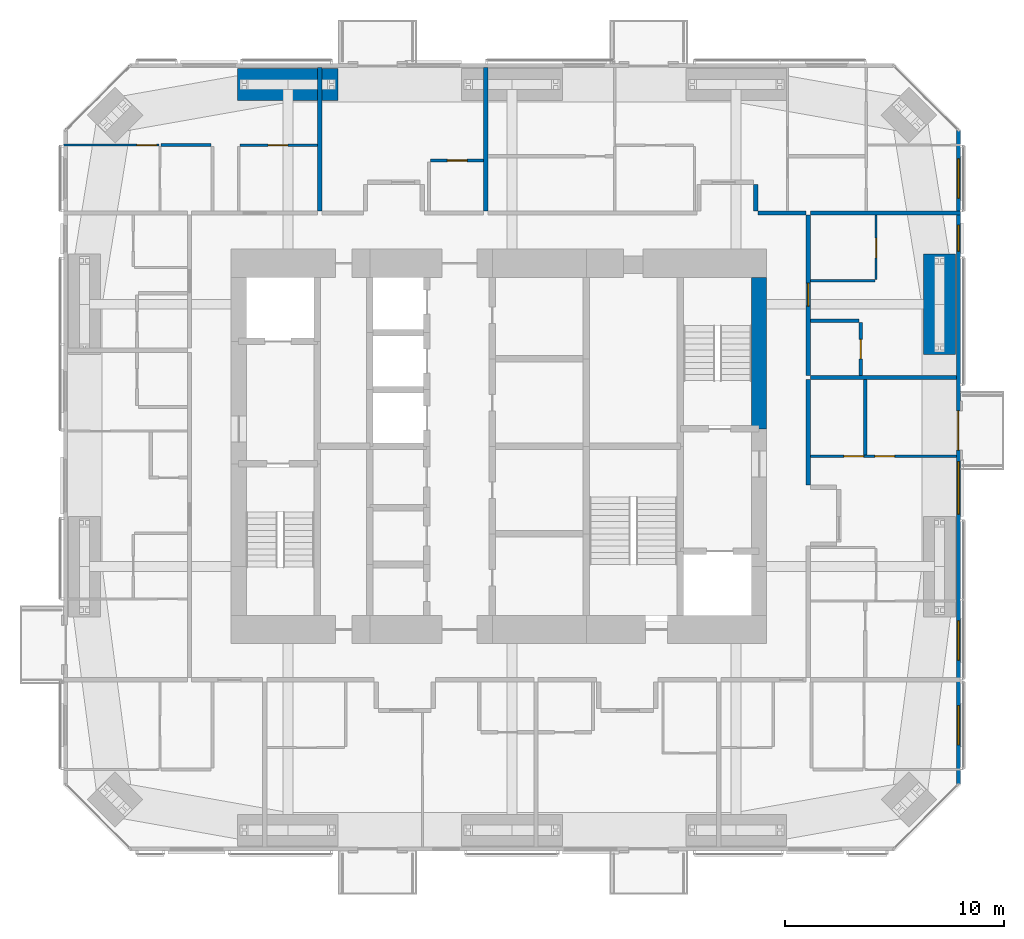
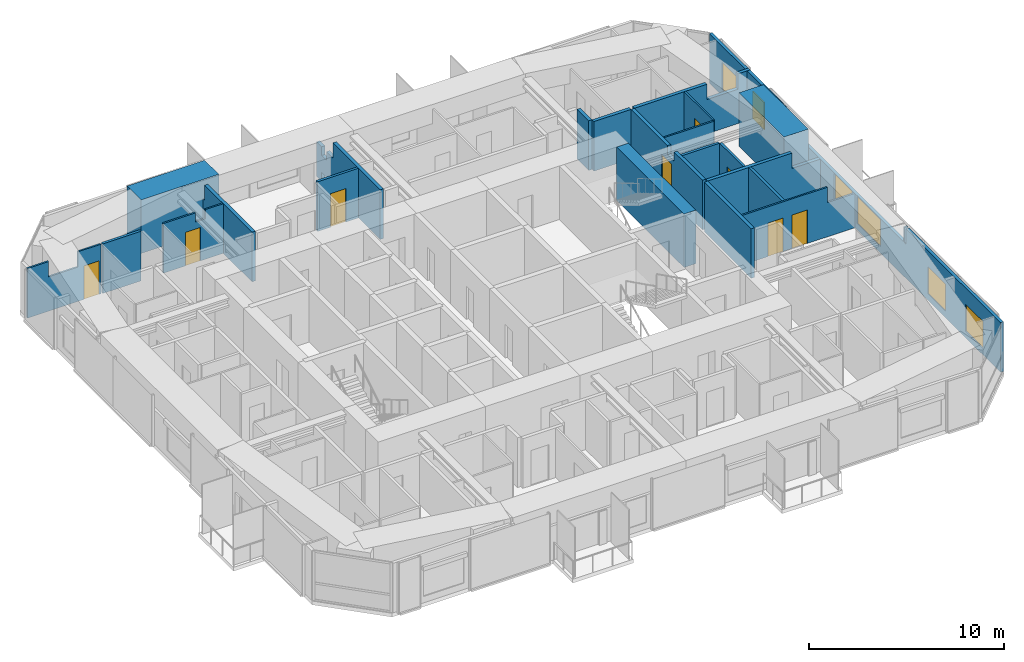
# One storey, part 20 of 23: 22 walls, 9 doors, 5 windows, 14 openings.
"""IFC4 building model written with IfcOpenShell, lengths in metres."""

from ifc_helpers import new_model, si_unit, direction, frame, frame_2d, origin, place, context, subcontext, project, spatial, polyline, rectangle, outline, extrude, material, layer, layer_set, constituent, constituent_set, type_object, element, fill, save


model = new_model("IFC4")

# Units and contexts
model_context = context("Model", 3, precision=1e-05, world=origin(), true_north=direction((0.0, 1.0)))
body_context = subcontext(model_context, "Body", "Model", "MODEL_VIEW")
ifc_project = project(units=[si_unit("LENGTHUNIT", "METRE"), si_unit("AREAUNIT", "SQUARE_METRE"), si_unit("VOLUMEUNIT", "CUBIC_METRE"), si_unit("PLANEANGLEUNIT", "RADIAN"), si_unit("MASSUNIT", "GRAM", prefix="KILO")], contexts=[model_context])

# Site, building, storey
site_placement = place(None, origin())
site = spatial("IfcSite", under=ifc_project, at=site_placement, CompositionType="ELEMENT")
building_placement = place(site_placement, origin())
building = spatial("IfcBuilding", under=site, at=building_placement, Name="Jalousie Tower", CompositionType="ELEMENT")
storey_placement = place(building_placement, frame((0.0, 0.0, 171.10009765625)))
storey = spatial("IfcBuildingStorey", under=building, at=storey_placement, Name="L46", CompositionType="ELEMENT", Elevation=171.10009765625)

# Wall
ifc_material_1 = material(Name="Concrete block ASTM C90", Category="concrete")
ifc_constituent_1 = constituent(ifc_material_1, Name="Body")
ifc_material_2 = material(Name="Render")
ifc_constituent_2 = constituent(ifc_material_2, Name="Finish")
ifc_constituent_set_1 = constituent_set(constituents=[ifc_constituent_1, ifc_constituent_2])
wall_type_1 = type_object("IfcWallType", Name="BATHROOM WALL 150", PredefinedType="PLUMBINGWALL", material=ifc_constituent_set_1)
wall_1_placement = place(storey_placement, frame((18.72509765625, 32.27880859375, 0.0), z_axis=(0.0, 0.0, 1.0), x_axis=(-1.0, 0.0, 0.0)))
element("IfcWall", 1, at=wall_1_placement, inside=storey, type_object=wall_type_1, Name="Bathroom Wall 150 L46", PredefinedType="PLUMBINGWALL", context=body_context, shape_type="SweptSolid", body=[
    extrude(rectangle(XDim=2.275146484375, YDim=0.14990234375, at=frame_2d((1.1376953125, 0.0))), origin(), (0.0, 0.0, 1.0), 3.10986328125),
])

# Wall, opening, door
wall_2_placement = place(storey_placement, frame((28.77490234375, 31.574951171875, 0.0), z_axis=(0.0, 0.0, 1.0), x_axis=(1.0, 0.0, 0.0)))
wall_2 = element("IfcWall", 2, at=wall_2_placement, inside=storey, type_object=wall_type_1, Name="Bathroom Wall 150 L46", PredefinedType="PLUMBINGWALL", context=body_context, shape_type="SweptSolid", body=[
    extrude(rectangle(XDim=2.425048828125, YDim=0.14990234375, at=frame_2d((1.21240234375, 0.0))), origin(), (0.0, 0.0, 1.0), 3.10986328125),
])
opening_1_placement = place(wall_2_placement, frame((0.77490234375, 0.0, 0.0)))
opening_1 = element("IfcOpeningElement", 3, at=opening_1_placement, cuts=wall_2, Name="Opening D3", PredefinedType="OPENING", context=body_context, shape_type="SweptSolid", body=[
    extrude(rectangle(XDim=0.89990234375, YDim=2.10009765625, at=frame_2d((0.449951171875, 1.050048828125))), frame((0.0, 0.0849609375, 0.0), z_axis=(0.0, -1.0, 0.0), x_axis=(1.0, 0.0, 0.0)), (0.0, 0.0, 1.0), 0.169921875),
])
ifc_material_3 = material(Name="Timber door", Category="wood")
door_type_1 = type_object("IfcDoorType", Name="BATHROOM DOOR 900", OperationType="SINGLE_SWING_LEFT", PredefinedType="DOOR", material=ifc_material_3)
door_1_placement = place(opening_1_placement, frame((0.89990234375, 0.0, 0.0), z_axis=(0.0, 0.0, 1.0), x_axis=(-1.0, 0.0, 0.0)))
door_1 = element("IfcDoor", 4, at=door_1_placement, inside=storey, type_object=door_type_1, Name="Apartment 4606 bathroom door", OperationType="SINGLE_SWING_LEFT", OverallHeight=2.10009765625, OverallWidth=0.89990234375, PredefinedType="DOOR", context=body_context, shape_type="SweptSolid", body=[
    extrude(rectangle(XDim=0.89990234375, YDim=2.10009765625, at=frame_2d((0.449951171875, 1.050048828125))), frame((0.0, 0.02490234375, 0.0), z_axis=(0.0, -1.0, 0.0), x_axis=(1.0, 0.0, 0.0)), (0.0, 0.0, 1.0), 0.050048828125),
])
fill(opening_1, door_1)

# Wall
wall_3_placement = place(storey_placement, frame((48.64990234375, 18.10009765625, 0.0), z_axis=(0.0, 0.0, 1.0), x_axis=(0.0, 1.0, 0.0)))
element("IfcWall", 5, at=wall_3_placement, inside=storey, type_object=wall_type_1, Name="Bathroom Wall 150 L46", PredefinedType="PLUMBINGWALL", context=body_context, shape_type="SweptSolid", body=[
    extrude(rectangle(XDim=3.449951171875, YDim=0.14990234375, at=frame_2d((1.72509765625, 0.0))), origin(), (0.0, 0.0, 1.0), 3.10986328125),
])

# Wall, opening, door
wall_4_placement = place(storey_placement, frame((48.449951171875, 21.75, 0.0), z_axis=(0.0, 0.0, 1.0), x_axis=(0.0, 1.0, 0.0)))
wall_4 = element("IfcWall", 6, at=wall_4_placement, inside=storey, type_object=wall_type_1, Name="Bathroom Wall 150 L46", PredefinedType="PLUMBINGWALL", context=body_context, shape_type="SweptSolid", body=[
    extrude(rectangle(XDim=2.425048828125, YDim=0.14990234375, at=frame_2d((1.21240234375, 0.0))), origin(), (0.0, 0.0, 1.0), 3.10986328125),
])
opening_2_placement = place(wall_4_placement, frame((0.75, 0.0, 0.0)))
opening_2 = element("IfcOpeningElement", 7, at=opening_2_placement, cuts=wall_4, Name="Opening D3", PredefinedType="OPENING", context=body_context, shape_type="SweptSolid", body=[
    extrude(rectangle(XDim=0.89990234375, YDim=2.10009765625, at=frame_2d((0.449951171875, 1.050048828125))), frame((0.0, 0.0849609375, 0.0), z_axis=(0.0, -1.0, 0.0), x_axis=(1.0, 0.0, 0.0)), (0.0, 0.0, 1.0), 0.169921875),
])
door_2_placement = place(opening_2_placement, origin())
door_2 = element("IfcDoor", 8, at=door_2_placement, inside=storey, type_object=door_type_1, Name="Apartment 4611 bathroom door", OperationType="SINGLE_SWING_LEFT", OverallHeight=2.10009765625, OverallWidth=0.89990234375, PredefinedType="DOOR", context=body_context, shape_type="SweptSolid", body=[
    extrude(rectangle(XDim=0.89990234375, YDim=2.10009765625, at=frame_2d((0.449951171875, 1.050048828125))), frame((0.0, 0.02490234375, 0.0), z_axis=(0.0, -1.0, 0.0), x_axis=(1.0, 0.0, 0.0)), (0.0, 0.0, 1.0), 0.050048828125),
])
fill(opening_2, door_2)

# Walls
wall_5_placement = place(storey_placement, frame((48.375, 24.25, 0.0), z_axis=(0.0, 0.0, 1.0), x_axis=(-1.0, 0.0, 0.0)))
element("IfcWall", 9, at=wall_5_placement, inside=storey, type_object=wall_type_1, Name="Bathroom Wall 150 L46", PredefinedType="PLUMBINGWALL", context=body_context, shape_type="SweptSolid", body=[
    extrude(rectangle(XDim=2.22509765625, YDim=0.14990234375, at=frame_2d((1.112548828125, 0.0))), origin(), (0.0, 0.0, 1.0), 3.10986328125),
])
ifc_material_4 = material(Name="Concrete f'c 120 MPa", Category="concrete")
ifc_layer_1 = layer(ifc_material_4, 0.699951171875)
ifc_layer_set_1 = layer_set([ifc_layer_1], Name="Concrete f'c 120 MPa")
wall_type_2 = type_object("IfcWallType", Name="CORE WALL 700", PredefinedType="SHEAR", material=ifc_layer_set_1)
wall_6_placement = place(storey_placement, frame((43.800048828125, 19.300048828125, 0.0), z_axis=(0.0, 0.0, 1.0), x_axis=(0.0, 1.0, 0.0)))
element("IfcWall", 10, at=wall_6_placement, inside=storey, type_object=wall_type_2, Name="Core wall EC L46", PredefinedType="SHEAR", context=body_context, shape_type="SweptSolid", body=[
    extrude(rectangle(XDim=6.925048828125, YDim=0.699951171875, at=frame_2d((3.46240234375, 0.0))), origin(), (0.0, 0.0, 1.0), 3.349853515625),
])

# Wall, opening, door
ifc_material_5 = material(Name="Concrete block ASTM C90", Category="concrete")
ifc_constituent_3 = constituent(ifc_material_5, Name="Body")
ifc_material_6 = material(Name="Render")
ifc_constituent_4 = constituent(ifc_material_6, Name="Finish")
ifc_constituent_set_2 = constituent_set(constituents=[ifc_constituent_3, ifc_constituent_4])
wall_type_3 = type_object("IfcWallType", Name="CORRIDOR WALL 200", PredefinedType="PARTITIONING", material=ifc_constituent_set_2)
wall_7_placement = place(storey_placement, frame((46.050048828125, 21.75, 0.0), z_axis=(0.0, 0.0, 1.0), x_axis=(0.0, 1.0, 0.0)))
wall_7 = element("IfcWall", 11, at=wall_7_placement, inside=storey, type_object=wall_type_3, Name="Corridor Wall 200 L46", PredefinedType="PARTITIONING", context=body_context, shape_type="SweptSolid", body=[
    extrude(outline(polyline([(0.0, 0.0), (7.324951171875, 0.0), (7.324951171875, 3.10986328125), (3.58740234375, 3.10986328125), (3.58740234375, 2.541015625), (2.91259765625, 2.541015625), (2.91259765625, 3.10986328125), (0.0, 3.10986328125), (0.0, 0.0)])), frame((0.0, 0.10009765625, 0.0), z_axis=(0.0, -1.0, 0.0), x_axis=(1.0, 0.0, 0.0)), (0.0, 0.0, 1.0), 0.199951171875),
])
opening_3_placement = place(wall_7_placement, frame((3.16259765625, 0.0, 0.0)))
opening_3 = element("IfcOpeningElement", 12, at=opening_3_placement, cuts=wall_7, Name="Opening D1", PredefinedType="OPENING", context=body_context, shape_type="SweptSolid", body=[
    extrude(rectangle(XDim=1.050048828125, YDim=2.199951171875, at=frame_2d((0.52490234375, 1.10009765625))), frame((0.0, 0.10986328125, 0.0), z_axis=(0.0, -1.0, 0.0), x_axis=(1.0, 0.0, 0.0)), (0.0, 0.0, 1.0), 0.219970703125),
])
ifc_material_7 = material(Name="Timber fire door", Category="wood")
door_type_2 = type_object("IfcDoorType", Name="APARTMENT ENTRANCE DOOR 1050", OperationType="SINGLE_SWING_LEFT", PredefinedType="DOOR", material=ifc_material_7)
door_3_placement = place(opening_3_placement, frame((1.050048828125, 0.0, 0.0), z_axis=(0.0, 0.0, 1.0), x_axis=(-1.0, 0.0, 0.0)))
door_3 = element("IfcDoor", 13, at=door_3_placement, inside=storey, type_object=door_type_2, Name="Apartment 4611 entrance", OperationType="SINGLE_SWING_LEFT", OverallHeight=2.199951171875, OverallWidth=1.050048828125, PredefinedType="DOOR", context=body_context, shape_type="SweptSolid", body=[
    extrude(rectangle(XDim=1.050048828125, YDim=2.199951171875, at=frame_2d((0.52490234375, 1.10009765625))), frame((0.0, 0.02490234375, 0.0), z_axis=(0.0, -1.0, 0.0), x_axis=(1.0, 0.0, 0.0)), (0.0, 0.0, 1.0), 0.050048828125),
])
fill(opening_3, door_3)

# Walls
wall_8_placement = place(storey_placement, frame((43.75, 29.175048828125, 0.0), z_axis=(0.0, 0.0, 1.0), x_axis=(1.0, 0.0, 0.0)))
element("IfcWall", 14, at=wall_8_placement, inside=storey, type_object=wall_type_3, Name="Corridor Wall 200 L46", PredefinedType="PARTITIONING", context=body_context, shape_type="SweptSolid", body=[
    extrude(rectangle(XDim=2.199951171875, YDim=0.199951171875, at=frame_2d((1.10009765625, 0.0))), origin(), (0.0, 0.0, 1.0), 3.10986328125),
])
wall_9_placement = place(storey_placement, frame((43.64990234375, 29.27490234375, 0.0), z_axis=(0.0, 0.0, 1.0), x_axis=(0.0, 1.0, 0.0)))
element("IfcWall", 15, at=wall_9_placement, inside=storey, type_object=wall_type_3, Name="Corridor Wall 200 L46", PredefinedType="PARTITIONING", context=body_context, shape_type="SweptSolid", body=[
    extrude(rectangle(XDim=1.2001953125, YDim=0.199951171875, at=frame_2d((0.60009765625, 0.0))), origin(), (0.0, 0.0, 1.0), 3.10986328125),
])
wall_10_placement = place(storey_placement, frame((46.050048828125, 16.737548828125, 0.0), z_axis=(0.0, 0.0, 1.0), x_axis=(0.0, 1.0, 0.0)))
element("IfcWall", 16, at=wall_10_placement, inside=storey, type_object=wall_type_3, Name="Corridor Wall 200 L46", PredefinedType="PARTITIONING", context=body_context, shape_type="SweptSolid", body=[
    extrude(rectangle(XDim=4.8125, YDim=0.199951171875, at=frame_2d((2.40625, 0.0))), origin(), (0.0, 0.0, 1.0), 3.10986328125),
])

# Wall, openings, door, windows
ifc_material_8 = material(Name="Concrete f'c 40 MPa", Category="concrete")
ifc_constituent_5 = constituent(ifc_material_8, Name="Body")
ifc_material_9 = material(Name="Render, pastel lemon")
ifc_constituent_6 = constituent(ifc_material_9, Name="Finish")
ifc_constituent_set_3 = constituent_set(constituents=[ifc_constituent_5, ifc_constituent_6])
wall_type_4 = type_object("IfcWallType", Name="EXTERNAL WALL 175 LEMON RENDER", PredefinedType="SOLIDWALL", material=ifc_constituent_set_3)
wall_11_placement = place(storey_placement, frame((52.91259765625, 3.05126953125, 0.0), z_axis=(0.0, 0.0, 1.0), x_axis=(0.0, 1.0, 0.0)))
wall_11 = element("IfcWall", 17, at=wall_11_placement, inside=storey, type_object=wall_type_4, Name="External Wall 175 Lemon Render L46", PredefinedType="SOLIDWALL", context=body_context, shape_type="SweptSolid", body=[
    extrude(outline(polyline([(0.0, 0.0), (29.8974609375, 0.0), (29.8974609375, 3.10986328125), (22.16748046875, 3.10986328125), (22.16748046875, 2.14990234375), (22.073974609375, 2.14990234375), (22.073974609375, 3.10986328125), (21.94873046875, 3.10986328125), (21.94873046875, 2.14990234375), (9.94873046875, 2.14990234375), (9.94873046875, 3.10986328125), (9.846923828125, 3.10986328125), (9.846923828125, 2.14990234375), (9.7060546875, 2.14990234375), (9.7060546875, 3.10986328125), (0.0, 3.10986328125), (0.0, 0.0)])), frame((0.0, 0.08740234375, 0.0), z_axis=(0.0, -1.0, 0.0), x_axis=(1.0, 0.0, 0.0)), (0.0, 0.0, 1.0), 0.175048828125),
])
opening_4_placement = place(wall_11_placement, frame((1.796875, 0.0, 0.39990234375)))
opening_4 = element("IfcOpeningElement", 18, at=opening_4_placement, cuts=wall_11, Name="Opening W-BED170", PredefinedType="OPENING", context=body_context, shape_type="SweptSolid", body=[
    extrude(rectangle(XDim=1.800048828125, YDim=1.699951171875, at=frame_2d((0.89990234375, 0.85009765625))), frame((0.0, 0.097412109375, 0.0), z_axis=(0.0, -1.0, 0.0), x_axis=(1.0, 0.0, 0.0)), (0.0, 0.0, 1.0), 0.195068359375),
])
opening_5_placement = place(wall_11_placement, frame((5.673583984375, 0.0, 0.39990234375)))
opening_5 = element("IfcOpeningElement", 19, at=opening_5_placement, cuts=wall_11, Name="Opening W-BED170", PredefinedType="OPENING", context=body_context, shape_type="SweptSolid", body=[
    extrude(rectangle(XDim=1.800048828125, YDim=1.699951171875, at=frame_2d((0.89990234375, 0.85009765625))), frame((0.0, 0.097412109375, 0.0), z_axis=(0.0, -1.0, 0.0), x_axis=(1.0, 0.0, 0.0)), (0.0, 0.0, 1.0), 0.195068359375),
])
opening_6_placement = place(wall_11_placement, frame((12.3486328125, 0.0, 0.39990234375)))
opening_6 = element("IfcOpeningElement", 20, at=opening_6_placement, cuts=wall_11, Name="Opening W-LIV170", PredefinedType="OPENING", context=body_context, shape_type="SweptSolid", body=[
    extrude(rectangle(XDim=2.39990234375, YDim=1.699951171875, at=frame_2d((1.199951171875, 0.85009765625))), frame((0.0, 0.097412109375, 0.0), z_axis=(0.0, -1.0, 0.0), x_axis=(1.0, 0.0, 0.0)), (0.0, 0.0, 1.0), 0.195068359375),
])
opening_7_placement = place(wall_11_placement, frame((15.273681640625, 0.0, 0.0)))
opening_7 = element("IfcOpeningElement", 21, at=opening_7_placement, cuts=wall_11, Name="Opening D-BAL21", PredefinedType="OPENING", context=body_context, shape_type="SweptSolid", body=[
    extrude(rectangle(XDim=1.800048828125, YDim=2.10009765625, at=frame_2d((0.89990234375, 1.050048828125))), frame((0.0, 0.097412109375, 0.0), z_axis=(0.0, -1.0, 0.0), x_axis=(1.0, 0.0, 0.0)), (0.0, 0.0, 1.0), 0.195068359375),
])
opening_8_placement = place(wall_11_placement, frame((24.373291015625, 0.0, 0.39990234375)))
opening_8 = element("IfcOpeningElement", 22, at=opening_8_placement, cuts=wall_11, Name="Opening W-COR170", PredefinedType="OPENING", context=body_context, shape_type="SweptSolid", body=[
    extrude(rectangle(XDim=1.199951171875, YDim=1.699951171875, at=frame_2d((0.60009765625, 0.85009765625))), frame((0.0, 0.097412109375, 0.0), z_axis=(0.0, -1.0, 0.0), x_axis=(1.0, 0.0, 0.0)), (0.0, 0.0, 1.0), 0.195068359375),
])
opening_9_placement = place(wall_11_placement, frame((26.800537109375, 0.0, 0.39990234375)))
opening_9 = element("IfcOpeningElement", 23, at=opening_9_placement, cuts=wall_11, Name="Opening W-BED170", PredefinedType="OPENING", context=body_context, shape_type="SweptSolid", body=[
    extrude(rectangle(XDim=1.800048828125, YDim=1.699951171875, at=frame_2d((0.89990234375, 0.85009765625))), frame((0.0, 0.097412109375, 0.0), z_axis=(0.0, -1.0, 0.0), x_axis=(1.0, 0.0, 0.0)), (0.0, 0.0, 1.0), 0.195068359375),
])
ifc_material_10 = material(Name="Aluminium frame, impact-rated glazing", Category="aluminium")
door_type_3 = type_object("IfcDoorType", Name="BALCONY DOOR 1800x2100", OperationType="SLIDING_TO_LEFT", PredefinedType="DOOR", material=ifc_material_10)
door_4_placement = place(opening_7_placement, origin())
door_4 = element("IfcDoor", 24, at=door_4_placement, inside=storey, type_object=door_type_3, Name="Apartment 4610 bedroom 2 balcony door", OperationType="SLIDING_TO_LEFT", OverallHeight=2.10009765625, OverallWidth=1.800048828125, PredefinedType="DOOR", context=body_context, shape_type="SweptSolid", body=[
    extrude(rectangle(XDim=1.800048828125, YDim=2.10009765625, at=frame_2d((0.89990234375, 1.050048828125))), frame((0.0, 0.02490234375, 0.0), z_axis=(0.0, -1.0, 0.0), x_axis=(1.0, 0.0, 0.0)), (0.0, 0.0, 1.0), 0.050048828125),
])
fill(opening_7, door_4)
ifc_material_11 = material(Name="Aluminium frame, impact-rated glazing", Category="aluminium")
window_type_1 = type_object("IfcWindowType", Name="WINDOW BED 1800x1700", PartitioningType="SINGLE_PANEL", PredefinedType="WINDOW", material=ifc_material_11)
window_1_placement = place(opening_4_placement, origin())
window_1 = element("IfcWindow", 25, at=window_1_placement, inside=storey, type_object=window_type_1, Name="Apartment 4604 bedroom 1 window", OverallHeight=1.699951171875, OverallWidth=1.800048828125, PartitioningType="SINGLE_PANEL", PredefinedType="WINDOW", context=body_context, shape_type="SweptSolid", body=[
    extrude(rectangle(XDim=1.800048828125, YDim=1.699951171875, at=frame_2d((0.89990234375, 0.85009765625))), frame((0.0, 0.030029296875, 0.0), z_axis=(0.0, -1.0, 0.0), x_axis=(1.0, 0.0, 0.0)), (0.0, 0.0, 1.0), 0.06005859375),
])
fill(opening_4, window_1)
window_2_placement = place(opening_5_placement, origin())
window_2 = element("IfcWindow", 26, at=window_2_placement, inside=storey, type_object=window_type_1, Name="Apartment 4610 bedroom 1 window", OverallHeight=1.699951171875, OverallWidth=1.800048828125, PartitioningType="SINGLE_PANEL", PredefinedType="WINDOW", context=body_context, shape_type="SweptSolid", body=[
    extrude(rectangle(XDim=1.800048828125, YDim=1.699951171875, at=frame_2d((0.89990234375, 0.85009765625))), frame((0.0, 0.030029296875, 0.0), z_axis=(0.0, -1.0, 0.0), x_axis=(1.0, 0.0, 0.0)), (0.0, 0.0, 1.0), 0.06005859375),
])
fill(opening_5, window_2)
window_3_placement = place(opening_9_placement, origin())
window_3 = element("IfcWindow", 27, at=window_3_placement, inside=storey, type_object=window_type_1, Name="Apartment 4607 bedroom 3 window", OverallHeight=1.699951171875, OverallWidth=1.800048828125, PartitioningType="SINGLE_PANEL", PredefinedType="WINDOW", context=body_context, shape_type="SweptSolid", body=[
    extrude(rectangle(XDim=1.800048828125, YDim=1.699951171875, at=frame_2d((0.89990234375, 0.85009765625))), frame((0.0, 0.030029296875, 0.0), z_axis=(0.0, -1.0, 0.0), x_axis=(1.0, 0.0, 0.0)), (0.0, 0.0, 1.0), 0.06005859375),
])
fill(opening_9, window_3)
ifc_material_12 = material(Name="Aluminium frame, impact-rated glazing", Category="aluminium")
window_type_2 = type_object("IfcWindowType", Name="WINDOW COR 1200x1700", PartitioningType="SINGLE_PANEL", PredefinedType="WINDOW", material=ifc_material_12)
window_4_placement = place(opening_8_placement, origin())
window_4 = element("IfcWindow", 28, at=window_4_placement, inside=storey, type_object=window_type_2, Name="Apartment 4611 studio living and sleeping room window", OverallHeight=1.699951171875, OverallWidth=1.199951171875, PartitioningType="SINGLE_PANEL", PredefinedType="WINDOW", context=body_context, shape_type="SweptSolid", body=[
    extrude(rectangle(XDim=1.199951171875, YDim=1.699951171875, at=frame_2d((0.60009765625, 0.85009765625))), frame((0.0, 0.030029296875, 0.0), z_axis=(0.0, -1.0, 0.0), x_axis=(1.0, 0.0, 0.0)), (0.0, 0.0, 1.0), 0.06005859375),
])
fill(opening_8, window_4)
ifc_material_13 = material(Name="Aluminium frame, impact-rated glazing", Category="aluminium")
window_type_3 = type_object("IfcWindowType", Name="WINDOW LIV 2400x1700", PartitioningType="DOUBLE_PANEL_VERTICAL", PredefinedType="WINDOW", material=ifc_material_13)
window_5_placement = place(opening_6_placement, origin())
window_5 = element("IfcWindow", 29, at=window_5_placement, inside=storey, type_object=window_type_3, Name="Apartment 4610 living and dining room window", OverallHeight=1.699951171875, OverallWidth=2.39990234375, PartitioningType="SINGLE_PANEL", PredefinedType="WINDOW", context=body_context, shape_type="SweptSolid", body=[
    extrude(rectangle(XDim=2.39990234375, YDim=1.699951171875, at=frame_2d((1.199951171875, 0.85009765625))), frame((0.0, 0.030029296875, 0.0), z_axis=(0.0, -1.0, 0.0), x_axis=(1.0, 0.0, 0.0)), (0.0, 0.0, 1.0), 0.06005859375),
])
fill(opening_6, window_5)

# Wall, opening, door
ifc_material_14 = material(Name="Gypsum board", Category="gypsum")
ifc_constituent_7 = constituent(ifc_material_14, Name="Body")
ifc_material_15 = material(Name="Light-gauge steel studs ASTM A653 SS Grade 33", Category="steel")
ifc_constituent_8 = constituent(ifc_material_15, Name="Framing")
ifc_constituent_set_4 = constituent_set(constituents=[ifc_constituent_7, ifc_constituent_8])
wall_type_5 = type_object("IfcWallType", Name="PARTITION 100", PredefinedType="PARTITIONING", material=ifc_constituent_set_4)
wall_12_placement = place(storey_placement, frame((16.35009765625, 32.27880859375, 0.0), z_axis=(0.0, 0.0, 1.0), x_axis=(-1.0, 0.0, 0.0)))
wall_12 = element("IfcWall", 30, at=wall_12_placement, inside=storey, type_object=wall_type_5, Name="Partition 100 L46", PredefinedType="PARTITIONING", context=body_context, shape_type="SweptSolid", body=[
    extrude(outline(polyline([(0.0, 0.0), (4.35009765625, 0.0), (4.35009765625, 3.10986328125), (3.094482421875, 3.10986328125), (3.094482421875, 2.14990234375), (1.352294921875, 2.14990234375), (1.352294921875, 3.10986328125), (0.0, 3.10986328125), (0.0, 0.0)])), frame((0.0, 0.050048828125, 0.0), z_axis=(0.0, -1.0, 0.0), x_axis=(1.0, 0.0, 0.0)), (0.0, 0.0, 1.0), 0.10009765625),
])
opening_10_placement = place(wall_12_placement, frame((0.10009765625, 0.0, 0.0)))
opening_10 = element("IfcOpeningElement", 31, at=opening_10_placement, cuts=wall_12, Name="Opening D2", PredefinedType="OPENING", context=body_context, shape_type="SweptSolid", body=[
    extrude(rectangle(XDim=0.89990234375, YDim=2.10009765625, at=frame_2d((0.449951171875, 1.050048828125))), frame((0.0, 0.06005859375, 0.0), z_axis=(0.0, -1.0, 0.0), x_axis=(1.0, 0.0, 0.0)), (0.0, 0.0, 1.0), 0.1201171875),
])
ifc_material_16 = material(Name="Timber door", Category="wood")
door_type_4 = type_object("IfcDoorType", Name="BEDROOM DOOR 900", OperationType="SINGLE_SWING_LEFT", PredefinedType="DOOR", material=ifc_material_16)
door_5_placement = place(opening_10_placement, origin())
door_5 = element("IfcDoor", 32, at=door_5_placement, inside=storey, type_object=door_type_4, Name="Apartment 4605 bedroom 1 door", OperationType="SINGLE_SWING_LEFT", OverallHeight=2.10009765625, OverallWidth=0.89990234375, PredefinedType="DOOR", context=body_context, shape_type="SweptSolid", body=[
    extrude(rectangle(XDim=0.89990234375, YDim=2.10009765625, at=frame_2d((0.449951171875, 1.050048828125))), frame((0.0, 0.02490234375, 0.0), z_axis=(0.0, -1.0, 0.0), x_axis=(1.0, 0.0, 0.0)), (0.0, 0.0, 1.0), 0.050048828125),
])
fill(opening_10, door_5)

wall_13_placement = place(storey_placement, frame((20.050048828125, 32.27490234375, 0.0), z_axis=(0.0, 0.0, 1.0), x_axis=(1.0, 0.0, 0.0)))
wall_13 = element("IfcWall", 33, at=wall_13_placement, inside=storey, type_object=wall_type_5, Name="Partition 100 L46", PredefinedType="PARTITIONING", context=body_context, shape_type="SweptSolid", body=[
    extrude(outline(polyline([(0.0, 0.0), (3.550048828125, 0.0), (3.550048828125, 3.10986328125), (2.4873046875, 3.10986328125), (2.4873046875, 2.541015625), (1.91259765625, 2.541015625), (1.91259765625, 3.10986328125), (0.0, 3.10986328125), (0.0, 0.0)])), frame((0.0, 0.050048828125, 0.0), z_axis=(0.0, -1.0, 0.0), x_axis=(1.0, 0.0, 0.0)), (0.0, 0.0, 1.0), 0.10009765625),
])
opening_11_placement = place(wall_13_placement, frame((1.300048828125, 0.0, 0.0)))
opening_11 = element("IfcOpeningElement", 34, at=opening_11_placement, cuts=wall_13, Name="Opening D7", PredefinedType="OPENING", context=body_context, shape_type="SweptSolid", body=[
    extrude(rectangle(XDim=0.89990234375, YDim=2.10009765625, at=frame_2d((0.449951171875, 1.050048828125))), frame((0.0, 0.06005859375, 0.0), z_axis=(0.0, -1.0, 0.0), x_axis=(1.0, 0.0, 0.0)), (0.0, 0.0, 1.0), 0.1201171875),
])
ifc_material_17 = material(Name="Timber door", Category="wood")
door_type_5 = type_object("IfcDoorType", Name="INTERNAL DOOR 900", OperationType="SINGLE_SWING_LEFT", PredefinedType="DOOR", material=ifc_material_17)
door_6_placement = place(opening_11_placement, origin())
door_6 = element("IfcDoor", 35, at=door_6_placement, inside=storey, type_object=door_type_5, Name="Apartment 4605 kitchen door", OperationType="SINGLE_SWING_RIGHT", OverallHeight=2.10009765625, OverallWidth=0.89990234375, PredefinedType="DOOR", context=body_context, shape_type="SweptSolid", body=[
    extrude(rectangle(XDim=0.89990234375, YDim=2.10009765625, at=frame_2d((0.449951171875, 1.050048828125))), frame((0.0, 0.02490234375, 0.0), z_axis=(0.0, -1.0, 0.0), x_axis=(1.0, 0.0, 0.0)), (0.0, 0.0, 1.0), 0.050048828125),
])
fill(opening_11, door_6)

# Wall, openings, doors
wall_14_placement = place(storey_placement, frame((52.824951171875, 18.050048828125, 0.0), z_axis=(0.0, 0.0, 1.0), x_axis=(-1.0, 0.0, 0.0)))
wall_14 = element("IfcWall", 36, at=wall_14_placement, inside=storey, type_object=wall_type_5, Name="Partition 100 L46", PredefinedType="PARTITIONING", context=body_context, shape_type="SweptSolid", body=[
    extrude(outline(polyline([(0.0, 0.0), (6.675048828125, 0.0), (6.675048828125, 3.10986328125), (1.635009765625, 3.10986328125), (1.635009765625, 2.14990234375), (0.0, 2.14990234375), (0.0, 3.10986328125), (0.0, 0.0)])), frame((0.0, 0.050048828125, 0.0), z_axis=(0.0, -1.0, 0.0), x_axis=(1.0, 0.0, 0.0)), (0.0, 0.0, 1.0), 0.10009765625),
])
opening_12_placement = place(wall_14_placement, frame((2.824951171875, 0.0, 0.0)))
opening_12 = element("IfcOpeningElement", 37, at=opening_12_placement, cuts=wall_14, Name="Opening D2", PredefinedType="OPENING", context=body_context, shape_type="SweptSolid", body=[
    extrude(rectangle(XDim=0.89990234375, YDim=2.10009765625, at=frame_2d((0.449951171875, 1.050048828125))), frame((0.0, 0.06005859375, 0.0), z_axis=(0.0, -1.0, 0.0), x_axis=(1.0, 0.0, 0.0)), (0.0, 0.0, 1.0), 0.1201171875),
])
opening_13_placement = place(wall_14_placement, frame((4.25, 0.0, 0.0)))
opening_13 = element("IfcOpeningElement", 38, at=opening_13_placement, cuts=wall_14, Name="Opening D7", PredefinedType="OPENING", context=body_context, shape_type="SweptSolid", body=[
    extrude(rectangle(XDim=0.89990234375, YDim=2.10009765625, at=frame_2d((0.449951171875, 1.050048828125))), frame((0.0, 0.06005859375, 0.0), z_axis=(0.0, -1.0, 0.0), x_axis=(1.0, 0.0, 0.0)), (0.0, 0.0, 1.0), 0.1201171875),
])
door_7_placement = place(opening_12_placement, frame((0.89990234375, 0.0, 0.0), z_axis=(0.0, 0.0, 1.0), x_axis=(-1.0, 0.0, 0.0)))
door_7 = element("IfcDoor", 39, at=door_7_placement, inside=storey, type_object=door_type_4, Name="Apartment 4610 bedroom 2 door", OperationType="SINGLE_SWING_LEFT", OverallHeight=2.10009765625, OverallWidth=0.89990234375, PredefinedType="DOOR", context=body_context, shape_type="SweptSolid", body=[
    extrude(rectangle(XDim=0.89990234375, YDim=2.10009765625, at=frame_2d((0.449951171875, 1.050048828125))), frame((0.0, 0.02490234375, 0.0), z_axis=(0.0, -1.0, 0.0), x_axis=(1.0, 0.0, 0.0)), (0.0, 0.0, 1.0), 0.050048828125),
])
fill(opening_12, door_7)
door_8_placement = place(opening_13_placement, frame((0.89990234375, 0.0, 0.0), z_axis=(0.0, 0.0, 1.0), x_axis=(-1.0, 0.0, 0.0)))
door_8 = element("IfcDoor", 40, at=door_8_placement, inside=storey, type_object=door_type_5, Name="Apartment 4610 bathroom door", OperationType="SINGLE_SWING_RIGHT", OverallHeight=2.10009765625, OverallWidth=0.89990234375, PredefinedType="DOOR", context=body_context, shape_type="SweptSolid", body=[
    extrude(rectangle(XDim=0.89990234375, YDim=2.10009765625, at=frame_2d((0.449951171875, 1.050048828125))), frame((0.0, 0.02490234375, 0.0), z_axis=(0.0, -1.0, 0.0), x_axis=(1.0, 0.0, 0.0)), (0.0, 0.0, 1.0), 0.050048828125),
])
fill(opening_13, door_8)

# Wall, opening, door
wall_15_placement = place(storey_placement, frame((49.14990234375, 26.125, 0.0), z_axis=(0.0, 0.0, 1.0), x_axis=(0.0, 1.0, 0.0)))
wall_15 = element("IfcWall", 41, at=wall_15_placement, inside=storey, type_object=wall_type_5, Name="Partition 100 L46", PredefinedType="PARTITIONING", context=body_context, shape_type="SweptSolid", body=[
    extrude(rectangle(XDim=2.949951171875, YDim=0.10009765625, at=frame_2d((1.47509765625, 0.0))), origin(), (0.0, 0.0, 1.0), 3.10986328125),
])
opening_14_placement = place(wall_15_placement, frame((1.0, 0.0, 0.0)))
opening_14 = element("IfcOpeningElement", 42, at=opening_14_placement, cuts=wall_15, Name="Opening D7", PredefinedType="OPENING", context=body_context, shape_type="SweptSolid", body=[
    extrude(rectangle(XDim=0.89990234375, YDim=2.10009765625, at=frame_2d((0.449951171875, 1.050048828125))), frame((0.0, 0.06005859375, 0.0), z_axis=(0.0, -1.0, 0.0), x_axis=(1.0, 0.0, 0.0)), (0.0, 0.0, 1.0), 0.1201171875),
])
door_9_placement = place(opening_14_placement, origin())
door_9 = element("IfcDoor", 43, at=door_9_placement, inside=storey, type_object=door_type_5, Name="Apartment 4611 kitchen door", OperationType="SINGLE_SWING_LEFT", OverallHeight=2.10009765625, OverallWidth=0.89990234375, PredefinedType="DOOR", context=body_context, shape_type="SweptSolid", body=[
    extrude(rectangle(XDim=0.89990234375, YDim=2.10009765625, at=frame_2d((0.449951171875, 1.050048828125))), frame((0.0, 0.02490234375, 0.0), z_axis=(0.0, -1.0, 0.0), x_axis=(1.0, 0.0, 0.0)), (0.0, 0.0, 1.0), 0.050048828125),
])
fill(opening_14, door_9)

# Walls
wall_16_placement = place(storey_placement, frame((49.10009765625, 26.074951171875, 0.0), z_axis=(0.0, 0.0, 1.0), x_axis=(-1.0, 0.0, 0.0)))
element("IfcWall", 44, at=wall_16_placement, inside=storey, type_object=wall_type_5, Name="Partition 100 L46", PredefinedType="PARTITIONING", context=body_context, shape_type="SweptSolid", body=[
    extrude(rectangle(XDim=2.9501953125, YDim=0.10009765625, at=frame_2d((1.47509765625, 0.0))), origin(), (0.0, 0.0, 1.0), 3.10986328125),
])
ifc_material_18 = material(Name="Concrete block ASTM C90", Category="concrete")
ifc_constituent_9 = constituent(ifc_material_18, Name="Body")
ifc_material_19 = material(Name="Render")
ifc_constituent_10 = constituent(ifc_material_19, Name="Finish")
ifc_constituent_set_5 = constituent_set(constituents=[ifc_constituent_9, ifc_constituent_10])
wall_type_6 = type_object("IfcWallType", Name="PARTY WALL 200", PredefinedType="PARTITIONING", material=ifc_constituent_set_5)
wall_17_placement = place(storey_placement, frame((23.699951171875, 35.824951171875, 0.0), z_axis=(0.0, 0.0, 1.0), x_axis=(0.0, -1.0, 0.0)))
element("IfcWall", 45, at=wall_17_placement, inside=storey, type_object=wall_type_6, Name="Party Wall 200 L46", PredefinedType="PARTITIONING", context=body_context, shape_type="SweptSolid", body=[
    extrude(outline(polyline([(0.52880859375, 2.14990234375), (0.0, 2.14990234375), (0.0, 0.0), (0.52880859375, 0.0), (0.52880859375, 0.33203125), (1.021240234375, 0.33203125), (1.021240234375, 0.0), (6.550048828125, 0.0), (6.550048828125, 3.10986328125), (1.68505859375, 3.10986328125), (1.68505859375, 2.14990234375), (1.021240234375, 2.14990234375), (1.021240234375, 1.81787109375), (0.52880859375, 1.81787109375), (0.52880859375, 2.14990234375)])), frame((0.0, 0.10009765625, 0.0), z_axis=(0.0, -1.0, 0.0), x_axis=(1.0, 0.0, 0.0)), (0.0, 0.0, 1.0), 0.199951171875),
])
wall_18_placement = place(storey_placement, frame((31.300048828125, 35.824951171875, 0.0), z_axis=(0.0, 0.0, 1.0), x_axis=(0.0, -1.0, 0.0)))
element("IfcWall", 46, at=wall_18_placement, inside=storey, type_object=wall_type_6, Name="Party Wall 200 L46", PredefinedType="PARTITIONING", context=body_context, shape_type="SweptSolid", body=[
    extrude(outline(polyline([(0.52880859375, 2.14990234375), (0.0, 2.14990234375), (0.0, 0.0), (0.52880859375, 0.0), (0.52880859375, 0.541259765625), (1.021240234375, 0.541259765625), (1.021240234375, 0.0), (6.550048828125, 0.0), (6.550048828125, 3.10986328125), (1.68505859375, 3.10986328125), (1.68505859375, 2.14990234375), (1.021240234375, 2.14990234375), (1.021240234375, 1.6083984375), (0.52880859375, 1.6083984375), (0.52880859375, 2.14990234375)])), frame((0.0, 0.10009765625, 0.0), z_axis=(0.0, -1.0, 0.0), x_axis=(1.0, 0.0, 0.0)), (0.0, 0.0, 1.0), 0.199951171875),
])
wall_19_placement = place(storey_placement, frame((46.14990234375, 29.175048828125, 0.0), z_axis=(0.0, 0.0, 1.0), x_axis=(1.0, 0.0, 0.0)))
element("IfcWall", 47, at=wall_19_placement, inside=storey, type_object=wall_type_6, Name="Party Wall 200 L46", PredefinedType="PARTITIONING", context=body_context, shape_type="SweptSolid", body=[
    extrude(outline(polyline([(0.0, 0.0), (6.85009765625, 0.0), (6.85009765625, 3.10986328125), (6.14697265625, 3.10986328125), (6.14697265625, 2.14990234375), (4.30322265625, 2.14990234375), (4.30322265625, 3.10986328125), (0.0, 3.10986328125), (0.0, 0.0)])), frame((0.0, 0.10009765625, 0.0), z_axis=(0.0, -1.0, 0.0), x_axis=(1.0, 0.0, 0.0)), (0.0, 0.0, 1.0), 0.199951171875),
])
wall_20_placement = place(storey_placement, frame((52.824951171875, 21.64990234375, 0.0), z_axis=(0.0, 0.0, 1.0), x_axis=(-1.0, 0.0, 0.0)))
element("IfcWall", 48, at=wall_20_placement, inside=storey, type_object=wall_type_6, Name="Party Wall 200 L46", PredefinedType="PARTITIONING", context=body_context, shape_type="SweptSolid", body=[
    extrude(outline(polyline([(0.0, 0.0), (6.675048828125, 0.0), (6.675048828125, 3.10986328125), (1.68505859375, 3.10986328125), (1.68505859375, 2.14990234375), (0.0, 2.14990234375), (0.0, 3.10986328125), (0.0, 0.0)])), frame((0.0, 0.10009765625, 0.0), z_axis=(0.0, -1.0, 0.0), x_axis=(1.0, 0.0, 0.0)), (0.0, 0.0, 1.0), 0.199951171875),
])
ifc_material_20 = material(Name="Concrete f'c 120 MPa", Category="concrete")
ifc_layer_2 = layer(ifc_material_20, 1.449951171875)
ifc_layer_set_2 = layer_set([ifc_layer_2], Name="Concrete f'c 120 MPa")
wall_type_7 = type_object("IfcWallType", Name="RC WALL PIER 1450", PredefinedType="SHEAR", material=ifc_layer_set_2)
for number, where, z_axis, x_axis, name in (
    (49, (52.050048828125, 22.699951171875, 0.0), (0.0, 0.0, 1.0), (0.0, 1.0, 0.0), "Wall pier 07 L46"),
    (50, (19.949951171875, 35.050048828125, 0.0), (0.0, 0.0, 1.0), (1.0, 0.0, 0.0), "Wall pier 11 L46"),
):
    element("IfcWall", number, at=place(storey_placement, frame(where, z_axis=z_axis, x_axis=x_axis)), inside=storey, type_object=wall_type_7, Name=name, PredefinedType="SHEAR", context=body_context, shape_type="SweptSolid", body=[
        extrude(rectangle(XDim=4.60009765625, YDim=1.449951171875, at=frame_2d((2.300048828125, 0.0))), origin(), (0.0, 0.0, 1.0), 3.349853515625),
    ])

save(model, "model.ifc")
